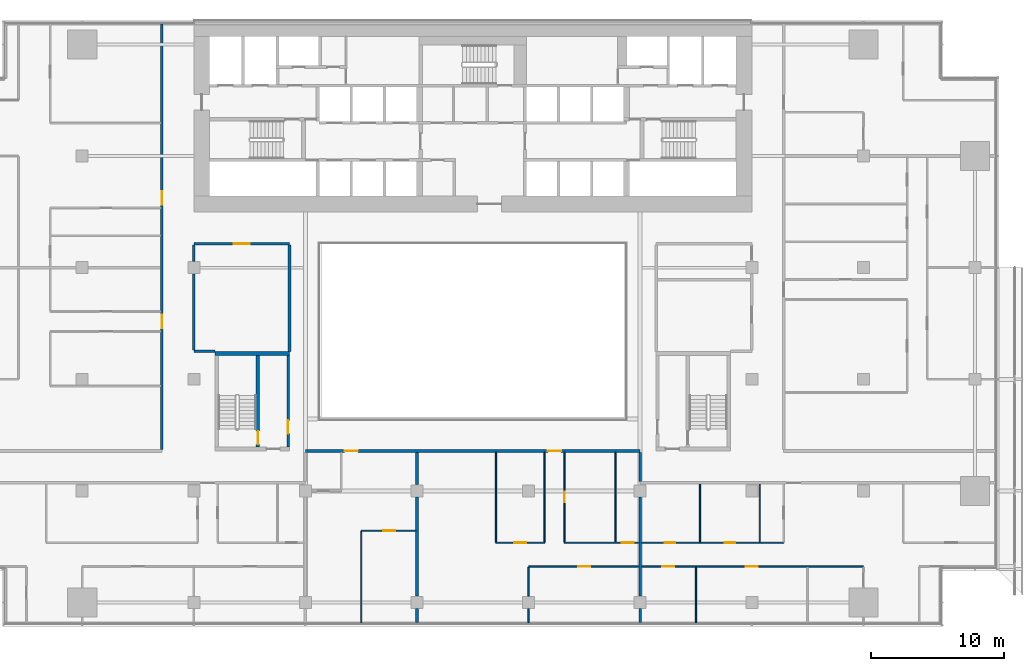
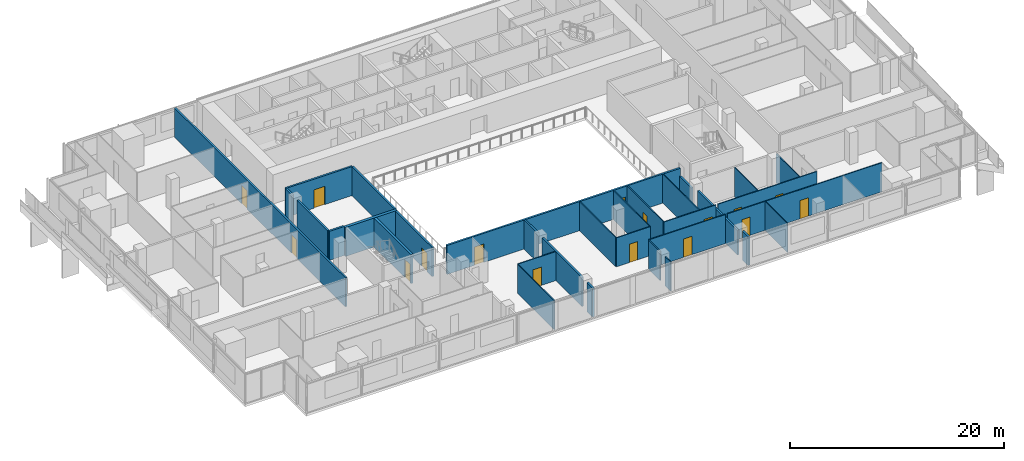
# One storey, part 17 of 25: 32 walls, 16 doors, 16 openings.
"""IFC4 building model written with IfcOpenShell, lengths in metres."""

from ifc_helpers import new_model, si_unit, direction, frame, frame_2d, origin, place, context, subcontext, project, spatial, rectangle, extrude, material, layer, layer_set, type_object, element, fill, save


model = new_model("IFC4")

# Units and contexts
model_context = context("Model", 3, precision=1e-05, world=origin(), true_north=direction((0.0, 1.0)))
body_context = subcontext(model_context, "Body", "Model", "MODEL_VIEW")
ifc_project = project(units=[si_unit("LENGTHUNIT", "METRE"), si_unit("AREAUNIT", "SQUARE_METRE"), si_unit("VOLUMEUNIT", "CUBIC_METRE"), si_unit("PLANEANGLEUNIT", "RADIAN"), si_unit("MASSUNIT", "GRAM", prefix="KILO")], contexts=[model_context])

# Site, building, storey
site_placement = place(None, origin())
site = spatial("IfcSite", under=ifc_project, at=site_placement, CompositionType="ELEMENT")
building_placement = place(site_placement, origin())
building = spatial("IfcBuilding", under=site, at=building_placement, Name="Saffron Gate Tower", CompositionType="ELEMENT")
storey_placement = place(building_placement, frame((0.0, 0.0, 73.199951171875)))
storey = spatial("IfcBuildingStorey", under=building, at=storey_placement, Name="L17", CompositionType="ELEMENT", Elevation=73.199951171875)

# Wall, opening, door
ifc_material_1 = material(Name="Gypsum board partition on steel studs", Category="steel")
ifc_layer_1 = layer(ifc_material_1, 0.199951171875)
ifc_layer_set_1 = layer_set([ifc_layer_1], Name="CW10 Core partition 200")
wall_type_1 = type_object("IfcWallType", Name="CW10 Core partition 200", PredefinedType="PARTITIONING", material=ifc_layer_set_1)
wall_1_placement = place(storey_placement, frame((73.699951171875, 43.5, 0.0), z_axis=(0.0, 0.0, 1.0), x_axis=(0.0, 1.0, 0.0)))
wall_1 = element("IfcWall", 1, at=wall_1_placement, inside=storey, type_object=wall_type_1, Name="Wall CW10-L17-D-4", PredefinedType="PARTITIONING", context=body_context, shape_type="SweptSolid", body=[
    extrude(rectangle(XDim=6.89990234375, YDim=0.199951171875, at=frame_2d((3.449951171875, 0.0))), origin(), (0.0, 0.0, 1.0), 3.320068359375),
])
opening_1_placement = place(wall_1_placement, frame((1.0, 0.0, 0.0)))
opening_1 = element("IfcOpeningElement", 2, at=opening_1_placement, cuts=wall_1, Name="Opening CR-19", PredefinedType="OPENING", context=body_context, shape_type="SweptSolid", body=[
    extrude(rectangle(XDim=1.0, YDim=2.10009765625, at=frame_2d((0.5, 1.050048828125))), frame((0.0, 0.10986328125, 0.0), z_axis=(0.0, -1.0, 0.0), x_axis=(1.0, 0.0, 0.0)), (0.0, 0.0, 1.0), 0.219970703125),
])
ifc_material_2 = material(Name="Steel fire door set", Category="steel")
door_type_1 = type_object("IfcDoorType", Name="CD4 Lobby door 1000x2100 EI 120", OperationType="NOTDEFINED", PredefinedType="DOOR", material=ifc_material_2)
door_1_placement = place(opening_1_placement, origin())
door_1 = element("IfcDoor", 3, at=door_1_placement, inside=storey, type_object=door_type_1, Name="DOOR CR-19", OperationType="SINGLE_SWING_RIGHT", OverallHeight=2.10009765625, OverallWidth=1.0, PredefinedType="DOOR", context=body_context, shape_type="SweptSolid", body=[
    extrude(rectangle(XDim=1.0, YDim=2.10009765625, at=frame_2d((0.5, 1.050048828125))), frame((0.0, 0.02490234375, 0.0), z_axis=(0.0, -1.0, 0.0), x_axis=(1.0, 0.0, 0.0)), (0.0, 0.0, 1.0), 0.050048828125),
])
fill(opening_1, door_1)

ifc_material_3 = material(Name="Concrete C70", Category="concrete")
ifc_layer_2 = layer(ifc_material_3, 0.25)
ifc_layer_set_2 = layer_set([ifc_layer_2], Name="CW2 RC core wall 250 C70")
wall_type_2 = type_object("IfcWallType", Name="CW2 RC core wall 250 C70", PredefinedType="SOLIDWALL", material=ifc_layer_set_2)
wall_2_placement = place(storey_placement, frame((71.425048828125, 43.5, 0.0), z_axis=(0.0, 0.0, 1.0), x_axis=(0.0, 1.0, 0.0)))
wall_2 = element("IfcWall", 4, at=wall_2_placement, inside=storey, type_object=wall_type_2, Name="Wall CW2-L17-D-3", PredefinedType="SOLIDWALL", context=body_context, shape_type="SweptSolid", body=[
    extrude(rectangle(XDim=6.89990234375, YDim=0.25, at=frame_2d((3.449951171875, 0.0))), origin(), (0.0, 0.0, 1.0), 3.320068359375),
])
opening_2_placement = place(wall_2_placement, frame((0.199951171875, 0.0, 0.0)))
opening_2 = element("IfcOpeningElement", 5, at=opening_2_placement, cuts=wall_2, Name="Opening CR-20", PredefinedType="OPENING", context=body_context, shape_type="SweptSolid", body=[
    extrude(rectangle(XDim=1.0, YDim=2.10009765625, at=frame_2d((0.5, 1.050048828125))), frame((0.0, 0.135009765625, 0.0), z_axis=(0.0, -1.0, 0.0), x_axis=(1.0, 0.0, 0.0)), (0.0, 0.0, 1.0), 0.27001953125),
])
door_type_2 = type_object("IfcDoorType", Name="CD5 Stair door 1000x2100 EI 120", OperationType="NOTDEFINED", PredefinedType="DOOR", material=ifc_material_2)
door_2_placement = place(opening_2_placement, origin())
door_2 = element("IfcDoor", 6, at=door_2_placement, inside=storey, type_object=door_type_2, Name="DOOR CR-20", OperationType="SINGLE_SWING_LEFT", OverallHeight=2.10009765625, OverallWidth=1.0, PredefinedType="DOOR", context=body_context, shape_type="SweptSolid", body=[
    extrude(rectangle(XDim=1.0, YDim=2.10009765625, at=frame_2d((0.5, 1.050048828125))), frame((0.0, 0.02490234375, 0.0), z_axis=(0.0, -1.0, 0.0), x_axis=(1.0, 0.0, 0.0)), (0.0, 0.0, 1.0), 0.050048828125),
])
fill(opening_2, door_2)

# Wall
ifc_layer_3 = layer(ifc_material_3, 0.300048828125)
ifc_layer_set_3 = layer_set([ifc_layer_3], Name="CW5 RC core wall 300 C70")
wall_type_3 = type_object("IfcWallType", Name="CW5 RC core wall 300 C70", PredefinedType="SOLIDWALL", material=ifc_layer_set_3)
wall_3_placement = place(storey_placement, frame((68.199951171875, 50.550048828125, 0.0), z_axis=(0.0, 0.0, 1.0), x_axis=(1.0, 0.0, 0.0)))
element("IfcWall", 7, at=wall_3_placement, inside=storey, type_object=wall_type_3, Name="Wall CW5-L17-D-5", PredefinedType="SOLIDWALL", context=body_context, shape_type="SweptSolid", body=[
    extrude(rectangle(XDim=5.60009765625, YDim=0.300048828125, at=frame_2d((2.800048828125, 0.0))), origin(), (0.0, 0.0, 1.0), 3.320068359375),
])

# Wall, opening, door
ifc_material_4 = material(Name="Plasterboard on steel studs", Category="steel")
ifc_layer_4 = layer(ifc_material_4, 0.10009765625)
ifc_layer_set_4 = layer_set([ifc_layer_4], Name="PW1 Partition 100")
wall_type_4 = type_object("IfcWallType", Name="PW1 Partition 100", PredefinedType="PARTITIONING", material=ifc_layer_set_4)
wall_4_placement = place(storey_placement, frame((89.342041015625, 36.300048828125, 0.0), z_axis=(0.0, 0.0, 1.0), x_axis=(1.0, 0.0, 0.0)))
wall_4 = element("IfcWall", 8, at=wall_4_placement, inside=storey, type_object=wall_type_4, Name="Partition A4-6", PredefinedType="PARTITIONING", context=body_context, shape_type="SweptSolid", body=[
    extrude(rectangle(XDim=3.657958984375, YDim=0.10009765625, at=frame_2d((1.8291015625, 0.0))), origin(), (0.0, 0.0, 1.0), 3.320068359375),
])
opening_3_placement = place(wall_4_placement, frame((1.37890625, 0.0, 0.0)))
opening_3 = element("IfcOpeningElement", 9, at=opening_3_placement, cuts=wall_4, Name="Opening A4-15", PredefinedType="OPENING", context=body_context, shape_type="SweptSolid", body=[
    extrude(rectangle(XDim=0.89990234375, YDim=2.10009765625, at=frame_2d((0.449951171875, 1.050048828125))), frame((0.0, 0.06005859375, 0.0), z_axis=(0.0, -1.0, 0.0), x_axis=(1.0, 0.0, 0.0)), (0.0, 0.0, 1.0), 0.1201171875),
])
ifc_material_5 = material(Name="Timber door set", Category="wood")
door_type_3 = type_object("IfcDoorType", Name="RD1 Room door 900x2100", OperationType="NOTDEFINED", PredefinedType="DOOR", material=ifc_material_5)
door_3_placement = place(opening_3_placement, origin())
door_3 = element("IfcDoor", 10, at=door_3_placement, inside=storey, type_object=door_type_3, Name="Door A4-15", OperationType="SINGLE_SWING_LEFT", OverallHeight=2.10009765625, OverallWidth=0.89990234375, PredefinedType="DOOR", context=body_context, shape_type="SweptSolid", body=[
    extrude(rectangle(XDim=0.89990234375, YDim=2.10009765625, at=frame_2d((0.449951171875, 1.050048828125))), frame((0.0, 0.02490234375, 0.0), z_axis=(0.0, -1.0, 0.0), x_axis=(1.0, 0.0, 0.0)), (0.0, 0.0, 1.0), 0.050048828125),
])
fill(opening_3, door_3)

wall_5_placement = place(storey_placement, frame((83.300048828125, 37.199951171875, 0.0), z_axis=(0.0, 0.0, 1.0), x_axis=(-1.0, 0.0, 0.0)))
wall_5 = element("IfcWall", 11, at=wall_5_placement, inside=storey, type_object=wall_type_4, Name="Partition A4-8", PredefinedType="PARTITIONING", context=body_context, shape_type="SweptSolid", body=[
    extrude(rectangle(XDim=4.10009765625, YDim=0.10009765625, at=frame_2d((2.050048828125, 0.0))), origin(), (0.0, 0.0, 1.0), 3.320068359375),
])
opening_4_placement = place(wall_5_placement, frame((1.550048828125, 0.0, 0.0)))
opening_4 = element("IfcOpeningElement", 12, at=opening_4_placement, cuts=wall_5, Name="Opening A4-13", PredefinedType="OPENING", context=body_context, shape_type="SweptSolid", body=[
    extrude(rectangle(XDim=0.89990234375, YDim=2.10009765625, at=frame_2d((0.449951171875, 1.050048828125))), frame((0.0, 0.06005859375, 0.0), z_axis=(0.0, -1.0, 0.0), x_axis=(1.0, 0.0, 0.0)), (0.0, 0.0, 1.0), 0.1201171875),
])
door_4_placement = place(opening_4_placement, origin())
door_4 = element("IfcDoor", 13, at=door_4_placement, inside=storey, type_object=door_type_3, Name="Door A4-13", OperationType="SINGLE_SWING_LEFT", OverallHeight=2.10009765625, OverallWidth=0.89990234375, PredefinedType="DOOR", context=body_context, shape_type="SweptSolid", body=[
    extrude(rectangle(XDim=0.89990234375, YDim=2.10009765625, at=frame_2d((0.449951171875, 1.050048828125))), frame((0.0, 0.02490234375, 0.0), z_axis=(0.0, -1.0, 0.0), x_axis=(1.0, 0.0, 0.0)), (0.0, 0.0, 1.0), 0.050048828125),
])
fill(opening_4, door_4)

# Walls
wall_6_placement = place(storey_placement, frame((79.199951171875, 37.14990234375, 0.0), z_axis=(0.0, 0.0, 1.0), x_axis=(0.0, -1.0, 0.0)))
element("IfcWall", 14, at=wall_6_placement, inside=storey, type_object=wall_type_4, Name="Partition A4-70", PredefinedType="PARTITIONING", context=body_context, shape_type="SweptSolid", body=[
    extrude(rectangle(XDim=6.869873046875, YDim=0.10009765625, at=frame_2d((3.43505859375, 0.0))), origin(), (0.0, 0.0, 1.0), 3.320068359375),
])
wall_7_placement = place(storey_placement, frame((89.342041015625, 43.10009765625, 0.0), z_axis=(0.0, 0.0, 1.0), x_axis=(0.0, -1.0, 0.0)))
element("IfcWall", 15, at=wall_7_placement, inside=storey, type_object=wall_type_4, Name="Partition A4-74", PredefinedType="PARTITIONING", context=body_context, shape_type="SweptSolid", body=[
    extrude(rectangle(XDim=6.75, YDim=0.10009765625, at=frame_2d((3.375, 0.0))), origin(), (0.0, 0.0, 1.0), 3.320068359375),
])
wall_8_placement = place(storey_placement, frame((91.800048828125, 31.330078125, 0.0), z_axis=(0.0, 0.0, 1.0), x_axis=(0.0, -1.0, 0.0)))
element("IfcWall", 16, at=wall_8_placement, inside=storey, type_object=wall_type_4, Name="Partition A4-75", PredefinedType="PARTITIONING", context=body_context, shape_type="SweptSolid", body=[
    extrude(rectangle(XDim=1.050048828125, YDim=0.10009765625, at=frame_2d((0.52490234375, 0.0))), origin(), (0.0, 0.0, 1.0), 3.320068359375),
])
wall_9_placement = place(storey_placement, frame((91.800048828125, 34.449951171875, 0.0), z_axis=(0.0, 0.0, 1.0), x_axis=(0.0, -1.0, 0.0)))
element("IfcWall", 17, at=wall_9_placement, inside=storey, type_object=wall_type_4, Name="Partition A4-76", PredefinedType="PARTITIONING", context=body_context, shape_type="SweptSolid", body=[
    extrude(rectangle(XDim=2.179931640625, YDim=0.10009765625, at=frame_2d((1.08984375, 0.0))), origin(), (0.0, 0.0, 1.0), 3.320068359375),
])
wall_10_placement = place(storey_placement, frame((93.0, 43.10009765625, 0.0), z_axis=(0.0, 0.0, 1.0), x_axis=(0.0, -1.0, 0.0)))
element("IfcWall", 18, at=wall_10_placement, inside=storey, type_object=wall_type_4, Name="Partition A4-77", PredefinedType="PARTITIONING", context=body_context, shape_type="SweptSolid", body=[
    extrude(rectangle(XDim=6.75, YDim=0.10009765625, at=frame_2d((3.375, 0.0))), origin(), (0.0, 0.0, 1.0), 3.320068359375),
])

# Wall, opening, door
wall_11_placement = place(storey_placement, frame((94.5, 43.10009765625, 0.0), z_axis=(0.0, 0.0, 1.0), x_axis=(0.0, -1.0, 0.0)))
wall_11 = element("IfcWall", 19, at=wall_11_placement, inside=storey, type_object=wall_type_4, Name="Partition A4-78", PredefinedType="PARTITIONING", context=body_context, shape_type="SweptSolid", body=[
    extrude(rectangle(XDim=6.75, YDim=0.10009765625, at=frame_2d((3.375, 0.0))), origin(), (0.0, 0.0, 1.0), 3.320068359375),
])
opening_5_placement = place(wall_11_placement, frame((2.949951171875, 0.0, 0.0)))
opening_5 = element("IfcOpeningElement", 20, at=opening_5_placement, cuts=wall_11, Name="Opening A4-37", PredefinedType="OPENING", context=body_context, shape_type="SweptSolid", body=[
    extrude(rectangle(XDim=0.800048828125, YDim=2.10009765625, at=frame_2d((0.39990234375, 1.050048828125))), frame((0.0, 0.06005859375, 0.0), z_axis=(0.0, -1.0, 0.0), x_axis=(1.0, 0.0, 0.0)), (0.0, 0.0, 1.0), 0.1201171875),
])
door_type_4 = type_object("IfcDoorType", Name="RD2 Bathroom door 800x2100", OperationType="NOTDEFINED", PredefinedType="DOOR", material=ifc_material_5)
door_5_placement = place(opening_5_placement, origin())
door_5 = element("IfcDoor", 21, at=door_5_placement, inside=storey, type_object=door_type_4, Name="Door A4-37", OperationType="SINGLE_SWING_LEFT", OverallHeight=2.10009765625, OverallWidth=0.800048828125, PredefinedType="DOOR", context=body_context, shape_type="SweptSolid", body=[
    extrude(rectangle(XDim=0.800048828125, YDim=2.10009765625, at=frame_2d((0.39990234375, 1.050048828125))), frame((0.0, 0.02490234375, 0.0), z_axis=(0.0, -1.0, 0.0), x_axis=(1.0, 0.0, 0.0)), (0.0, 0.0, 1.0), 0.050048828125),
])
fill(opening_5, door_5)

# Walls
wall_12_placement = place(storey_placement, frame((98.340576171875, 43.10009765625, 0.0), z_axis=(0.0, 0.0, 1.0), x_axis=(0.0, -1.0, 0.0)))
element("IfcWall", 22, at=wall_12_placement, inside=storey, type_object=wall_type_4, Name="Partition A4-79", PredefinedType="PARTITIONING", context=body_context, shape_type="SweptSolid", body=[
    extrude(rectangle(XDim=6.75, YDim=0.10009765625, at=frame_2d((3.375, 0.0))), origin(), (0.0, 0.0, 1.0), 3.320068359375),
])
wall_13_placement = place(storey_placement, frame((104.39990234375, 34.449951171875, 0.0), z_axis=(0.0, 0.0, 1.0), x_axis=(0.0, -1.0, 0.0)))
element("IfcWall", 23, at=wall_13_placement, inside=storey, type_object=wall_type_4, Name="Partition A4-84", PredefinedType="PARTITIONING", context=body_context, shape_type="SweptSolid", body=[
    extrude(rectangle(XDim=4.169921875, YDim=0.10009765625, at=frame_2d((2.0849609375, 0.0))), origin(), (0.0, 0.0, 1.0), 3.320068359375),
])
for number, where, z_axis, x_axis, name in (
    (24, (104.699951171875, 40.699951171875, 0.0), (0.0, 0.0, 1.0), (0.0, -1.0, 0.0), "Partition A4-85"),
    (25, (109.199951171875, 40.699951171875, 0.0), (0.0, 0.0, 1.0), (0.0, -1.0, 0.0), "Partition A4-88"),
):
    element("IfcWall", number, at=place(storey_placement, frame(where, z_axis=z_axis, x_axis=x_axis)), inside=storey, type_object=wall_type_4, Name=name, PredefinedType="PARTITIONING", context=body_context, shape_type="SweptSolid", body=[
        extrude(rectangle(XDim=4.349853515625, YDim=0.10009765625, at=frame_2d((2.1748046875, 0.0))), origin(), (0.0, 0.0, 1.0), 3.320068359375),
    ])

# Wall, opening, door
wall_14_placement = place(storey_placement, frame((100.10009765625, 34.5, 0.0), z_axis=(0.0, 0.0, 1.0), x_axis=(-1.0, 0.0, 0.0)))
wall_14 = element("IfcWall", 26, at=wall_14_placement, inside=storey, type_object=wall_type_4, Name="Partition A4-101", PredefinedType="PARTITIONING", context=body_context, shape_type="SweptSolid", body=[
    extrude(rectangle(XDim=8.300048828125, YDim=0.10009765625, at=frame_2d((4.14990234375, 0.0))), origin(), (0.0, 0.0, 1.0), 3.320068359375),
])
opening_6_placement = place(wall_14_placement, frame((3.64990234375, 0.0, 0.0)))
opening_6 = element("IfcOpeningElement", 27, at=opening_6_placement, cuts=wall_14, Name="Opening A4-14", PredefinedType="OPENING", context=body_context, shape_type="SweptSolid", body=[
    extrude(rectangle(XDim=0.89990234375, YDim=2.10009765625, at=frame_2d((0.449951171875, 1.050048828125))), frame((0.0, 0.06005859375, 0.0), z_axis=(0.0, -1.0, 0.0), x_axis=(1.0, 0.0, 0.0)), (0.0, 0.0, 1.0), 0.1201171875),
])
door_6_placement = place(opening_6_placement, origin())
door_6 = element("IfcDoor", 28, at=door_6_placement, inside=storey, type_object=door_type_3, Name="Door A4-14", OperationType="SINGLE_SWING_LEFT", OverallHeight=2.10009765625, OverallWidth=0.89990234375, PredefinedType="DOOR", context=body_context, shape_type="SweptSolid", body=[
    extrude(rectangle(XDim=0.89990234375, YDim=2.10009765625, at=frame_2d((0.449951171875, 1.050048828125))), frame((0.0, 0.02490234375, 0.0), z_axis=(0.0, -1.0, 0.0), x_axis=(1.0, 0.0, 0.0)), (0.0, 0.0, 1.0), 0.050048828125),
])
fill(opening_6, door_6)

# Wall, openings, doors
wall_15_placement = place(storey_placement, frame((117.0, 34.5, 0.0), z_axis=(0.0, 0.0, 1.0), x_axis=(-1.0, 0.0, 0.0)))
wall_15 = element("IfcWall", 29, at=wall_15_placement, inside=storey, type_object=wall_type_4, Name="Partition A4-102", PredefinedType="PARTITIONING", context=body_context, shape_type="SweptSolid", body=[
    extrude(rectangle(XDim=16.699951171875, YDim=0.10009765625, at=frame_2d((8.35009765625, 0.0))), origin(), (0.0, 0.0, 1.0), 3.320068359375),
])
opening_7_placement = place(wall_15_placement, frame((7.949951171875, 0.0, 0.0)))
opening_7 = element("IfcOpeningElement", 30, at=opening_7_placement, cuts=wall_15, Name="Opening A4-18", PredefinedType="OPENING", context=body_context, shape_type="SweptSolid", body=[
    extrude(rectangle(XDim=0.89990234375, YDim=2.10009765625, at=frame_2d((0.449951171875, 1.050048828125))), frame((0.0, 0.06005859375, 0.0), z_axis=(0.0, -1.0, 0.0), x_axis=(1.0, 0.0, 0.0)), (0.0, 0.0, 1.0), 0.1201171875),
])
opening_8_placement = place(wall_15_placement, frame((14.25, 0.0, 0.0)))
opening_8 = element("IfcOpeningElement", 31, at=opening_8_placement, cuts=wall_15, Name="Opening A4-17", PredefinedType="OPENING", context=body_context, shape_type="SweptSolid", body=[
    extrude(rectangle(XDim=0.89990234375, YDim=2.10009765625, at=frame_2d((0.449951171875, 1.050048828125))), frame((0.0, 0.06005859375, 0.0), z_axis=(0.0, -1.0, 0.0), x_axis=(1.0, 0.0, 0.0)), (0.0, 0.0, 1.0), 0.1201171875),
])
door_7_placement = place(opening_7_placement, origin())
door_7 = element("IfcDoor", 32, at=door_7_placement, inside=storey, type_object=door_type_3, Name="Door A4-18", OperationType="SINGLE_SWING_LEFT", OverallHeight=2.10009765625, OverallWidth=0.89990234375, PredefinedType="DOOR", context=body_context, shape_type="SweptSolid", body=[
    extrude(rectangle(XDim=0.89990234375, YDim=2.10009765625, at=frame_2d((0.449951171875, 1.050048828125))), frame((0.0, 0.02490234375, 0.0), z_axis=(0.0, -1.0, 0.0), x_axis=(1.0, 0.0, 0.0)), (0.0, 0.0, 1.0), 0.050048828125),
])
fill(opening_7, door_7)
door_8_placement = place(opening_8_placement, origin())
door_8 = element("IfcDoor", 33, at=door_8_placement, inside=storey, type_object=door_type_3, Name="Door A4-17", OperationType="SINGLE_SWING_RIGHT", OverallHeight=2.10009765625, OverallWidth=0.89990234375, PredefinedType="DOOR", context=body_context, shape_type="SweptSolid", body=[
    extrude(rectangle(XDim=0.89990234375, YDim=2.10009765625, at=frame_2d((0.449951171875, 1.050048828125))), frame((0.0, 0.02490234375, 0.0), z_axis=(0.0, -1.0, 0.0), x_axis=(1.0, 0.0, 0.0)), (0.0, 0.0, 1.0), 0.050048828125),
])
fill(opening_8, door_8)

# Wall, opening, door
wall_16_placement = place(storey_placement, frame((94.5, 36.300048828125, 0.0), z_axis=(0.0, 0.0, 1.0), x_axis=(1.0, 0.0, 0.0)))
wall_16 = element("IfcWall", 34, at=wall_16_placement, inside=storey, type_object=wall_type_4, Name="Partition A4-103", PredefinedType="PARTITIONING", context=body_context, shape_type="SweptSolid", body=[
    extrude(rectangle(XDim=5.60009765625, YDim=0.10009765625, at=frame_2d((2.800048828125, 0.0))), origin(), (0.0, 0.0, 1.0), 3.320068359375),
])
opening_9_placement = place(wall_16_placement, frame((4.3203125, 0.0, 0.0)))
opening_9 = element("IfcOpeningElement", 35, at=opening_9_placement, cuts=wall_16, Name="Opening A4-16", PredefinedType="OPENING", context=body_context, shape_type="SweptSolid", body=[
    extrude(rectangle(XDim=0.89990234375, YDim=2.10009765625, at=frame_2d((0.449951171875, 1.050048828125))), frame((0.0, 0.06005859375, 0.0), z_axis=(0.0, -1.0, 0.0), x_axis=(1.0, 0.0, 0.0)), (0.0, 0.0, 1.0), 0.1201171875),
])
door_9_placement = place(opening_9_placement, origin())
door_9 = element("IfcDoor", 36, at=door_9_placement, inside=storey, type_object=door_type_3, Name="Door A4-16", OperationType="SINGLE_SWING_RIGHT", OverallHeight=2.10009765625, OverallWidth=0.89990234375, PredefinedType="DOOR", context=body_context, shape_type="SweptSolid", body=[
    extrude(rectangle(XDim=0.89990234375, YDim=2.10009765625, at=frame_2d((0.449951171875, 1.050048828125))), frame((0.0, 0.02490234375, 0.0), z_axis=(0.0, -1.0, 0.0), x_axis=(1.0, 0.0, 0.0)), (0.0, 0.0, 1.0), 0.050048828125),
])
fill(opening_9, door_9)

# Wall, openings, doors
wall_17_placement = place(storey_placement, frame((100.300048828125, 36.300048828125, 0.0), z_axis=(0.0, 0.0, 1.0), x_axis=(1.0, 0.0, 0.0)))
wall_17 = element("IfcWall", 37, at=wall_17_placement, inside=storey, type_object=wall_type_4, Name="Partition A4-104", PredefinedType="PARTITIONING", context=body_context, shape_type="SweptSolid", body=[
    extrude(rectangle(XDim=10.699951171875, YDim=0.10009765625, at=frame_2d((5.35009765625, 0.0))), origin(), (0.0, 0.0, 1.0), 3.320068359375),
])
opening_10_placement = place(wall_17_placement, frame((1.75, 0.0, 0.0)))
opening_10 = element("IfcOpeningElement", 38, at=opening_10_placement, cuts=wall_17, Name="Opening A4-38", PredefinedType="OPENING", context=body_context, shape_type="SweptSolid", body=[
    extrude(rectangle(XDim=0.800048828125, YDim=2.10009765625, at=frame_2d((0.39990234375, 1.050048828125))), frame((0.0, 0.06005859375, 0.0), z_axis=(0.0, -1.0, 0.0), x_axis=(1.0, 0.0, 0.0)), (0.0, 0.0, 1.0), 0.1201171875),
])
opening_11_placement = place(wall_17_placement, frame((6.25, 0.0, 0.0)))
opening_11 = element("IfcOpeningElement", 39, at=opening_11_placement, cuts=wall_17, Name="Opening A4-39", PredefinedType="OPENING", context=body_context, shape_type="SweptSolid", body=[
    extrude(rectangle(XDim=0.800048828125, YDim=2.10009765625, at=frame_2d((0.39990234375, 1.050048828125))), frame((0.0, 0.06005859375, 0.0), z_axis=(0.0, -1.0, 0.0), x_axis=(1.0, 0.0, 0.0)), (0.0, 0.0, 1.0), 0.1201171875),
])
door_10_placement = place(opening_10_placement, origin())
door_10 = element("IfcDoor", 40, at=door_10_placement, inside=storey, type_object=door_type_4, Name="Door A4-38", OperationType="SINGLE_SWING_LEFT", OverallHeight=2.10009765625, OverallWidth=0.800048828125, PredefinedType="DOOR", context=body_context, shape_type="SweptSolid", body=[
    extrude(rectangle(XDim=0.800048828125, YDim=2.10009765625, at=frame_2d((0.39990234375, 1.050048828125))), frame((0.0, 0.02490234375, 0.0), z_axis=(0.0, -1.0, 0.0), x_axis=(1.0, 0.0, 0.0)), (0.0, 0.0, 1.0), 0.050048828125),
])
fill(opening_10, door_10)
door_11_placement = place(opening_11_placement, origin())
door_11 = element("IfcDoor", 41, at=door_11_placement, inside=storey, type_object=door_type_4, Name="Door A4-39", OperationType="SINGLE_SWING_RIGHT", OverallHeight=2.10009765625, OverallWidth=0.800048828125, PredefinedType="DOOR", context=body_context, shape_type="SweptSolid", body=[
    extrude(rectangle(XDim=0.800048828125, YDim=2.10009765625, at=frame_2d((0.39990234375, 1.050048828125))), frame((0.0, 0.02490234375, 0.0), z_axis=(0.0, -1.0, 0.0), x_axis=(1.0, 0.0, 0.0)), (0.0, 0.0, 1.0), 0.050048828125),
])
fill(opening_11, door_11)

# Walls
ifc_material_6 = material(Name="Clay brick masonry, rendered", Category="masonry")
ifc_layer_5 = layer(ifc_material_6, 0.199951171875)
ifc_layer_set_5 = layer_set([ifc_layer_5], Name="PW2 Demising wall 200")
wall_type_5 = type_object("IfcWallType", Name="PW2 Demising wall 200", PredefinedType="PARTITIONING", material=ifc_layer_set_5)
wall_18_placement = place(storey_placement, frame((83.39990234375, 31.330078125, 0.0), z_axis=(0.0, 0.0, 1.0), x_axis=(0.0, -1.0, 0.0)))
element("IfcWall", 42, at=wall_18_placement, inside=storey, type_object=wall_type_5, Name="Wall A4-71", PredefinedType="PARTITIONING", context=body_context, shape_type="SweptSolid", body=[
    extrude(rectangle(XDim=1.050048828125, YDim=0.199951171875, at=frame_2d((0.52490234375, 0.0))), origin(), (0.0, 0.0, 1.0), 3.320068359375),
])
wall_19_placement = place(storey_placement, frame((83.39990234375, 39.72998046875, 0.0), z_axis=(0.0, 0.0, 1.0), x_axis=(0.0, -1.0, 0.0)))
element("IfcWall", 43, at=wall_19_placement, inside=storey, type_object=wall_type_5, Name="Wall A4-72", PredefinedType="PARTITIONING", context=body_context, shape_type="SweptSolid", body=[
    extrude(rectangle(XDim=7.4599609375, YDim=0.199951171875, at=frame_2d((3.72998046875, 0.0))), origin(), (0.0, 0.0, 1.0), 3.320068359375),
])
wall_20_placement = place(storey_placement, frame((83.39990234375, 43.10009765625, 0.0), z_axis=(0.0, 0.0, 1.0), x_axis=(0.0, -1.0, 0.0)))
element("IfcWall", 44, at=wall_20_placement, inside=storey, type_object=wall_type_5, Name="Wall A4-73", PredefinedType="PARTITIONING", context=body_context, shape_type="SweptSolid", body=[
    extrude(rectangle(XDim=2.43017578125, YDim=0.199951171875, at=frame_2d((1.215087890625, 0.0))), origin(), (0.0, 0.0, 1.0), 3.320068359375),
])
wall_21_placement = place(storey_placement, frame((100.199951171875, 31.330078125, 0.0), z_axis=(0.0, 0.0, 1.0), x_axis=(0.0, -1.0, 0.0)))
element("IfcWall", 45, at=wall_21_placement, inside=storey, type_object=wall_type_5, Name="Wall A4-81", PredefinedType="PARTITIONING", context=body_context, shape_type="SweptSolid", body=[
    extrude(rectangle(XDim=1.050048828125, YDim=0.199951171875, at=frame_2d((0.52490234375, 0.0))), origin(), (0.0, 0.0, 1.0), 3.320068359375),
])
wall_22_placement = place(storey_placement, frame((100.199951171875, 39.72998046875, 0.0), z_axis=(0.0, 0.0, 1.0), x_axis=(0.0, -1.0, 0.0)))
element("IfcWall", 46, at=wall_22_placement, inside=storey, type_object=wall_type_5, Name="Wall A4-82", PredefinedType="PARTITIONING", context=body_context, shape_type="SweptSolid", body=[
    extrude(rectangle(XDim=7.4599609375, YDim=0.199951171875, at=frame_2d((3.72998046875, 0.0))), origin(), (0.0, 0.0, 1.0), 2.830078125),
])

# Wall, openings, doors
ifc_layer_6 = layer(ifc_material_6, 0.199951171875)
ifc_layer_set_6 = layer_set([ifc_layer_6], Name="PW3 Corridor wall 200")
wall_type_6 = type_object("IfcWallType", Name="PW3 Corridor wall 200", PredefinedType="PARTITIONING", material=ifc_layer_set_6)
wall_23_placement = place(storey_placement, frame((100.199951171875, 43.199951171875, 0.0), z_axis=(0.0, 0.0, 1.0), x_axis=(-1.0, 0.0, 0.0)))
wall_23 = element("IfcWall", 47, at=wall_23_placement, inside=storey, type_object=wall_type_6, Name="Wall A4-15", PredefinedType="PARTITIONING", context=body_context, shape_type="SweptSolid", body=[
    extrude(rectangle(XDim=25.199951171875, YDim=0.199951171875, at=frame_2d((12.60009765625, 0.0))), origin(), (0.0, 0.0, 1.0), 3.320068359375),
])
opening_12_placement = place(wall_23_placement, frame((5.949951171875, 0.0, 0.0)))
opening_12 = element("IfcOpeningElement", 48, at=opening_12_placement, cuts=wall_23, Name="Opening A4-3", PredefinedType="OPENING", context=body_context, shape_type="SweptSolid", body=[
    extrude(rectangle(XDim=1.0, YDim=2.10009765625, at=frame_2d((0.5, 1.050048828125))), frame((0.0, 0.10986328125, 0.0), z_axis=(0.0, -1.0, 0.0), x_axis=(1.0, 0.0, 0.0)), (0.0, 0.0, 1.0), 0.219970703125),
])
opening_13_placement = place(wall_23_placement, frame((21.25, 0.0, 0.0)))
opening_13 = element("IfcOpeningElement", 49, at=opening_13_placement, cuts=wall_23, Name="Opening A4-2", PredefinedType="OPENING", context=body_context, shape_type="SweptSolid", body=[
    extrude(rectangle(XDim=1.0, YDim=2.10009765625, at=frame_2d((0.5, 1.050048828125))), frame((0.0, 0.10986328125, 0.0), z_axis=(0.0, -1.0, 0.0), x_axis=(1.0, 0.0, 0.0)), (0.0, 0.0, 1.0), 0.219970703125),
])
ifc_material_7 = material(Name="Timber fire door set", Category="wood")
door_type_5 = type_object("IfcDoorType", Name="FD1 Flat entry door 1000x2100", OperationType="NOTDEFINED", PredefinedType="DOOR", material=ifc_material_7)
door_12_placement = place(opening_12_placement, origin())
door_12 = element("IfcDoor", 50, at=door_12_placement, inside=storey, type_object=door_type_5, Name="Door A4-3", OperationType="SINGLE_SWING_RIGHT", OverallHeight=2.10009765625, OverallWidth=1.0, PredefinedType="DOOR", context=body_context, shape_type="SweptSolid", body=[
    extrude(rectangle(XDim=1.0, YDim=2.10009765625, at=frame_2d((0.5, 1.050048828125))), frame((0.0, 0.02490234375, 0.0), z_axis=(0.0, -1.0, 0.0), x_axis=(1.0, 0.0, 0.0)), (0.0, 0.0, 1.0), 0.050048828125),
])
fill(opening_12, door_12)
door_13_placement = place(opening_13_placement, origin())
door_13 = element("IfcDoor", 51, at=door_13_placement, inside=storey, type_object=door_type_5, Name="Door A4-2", OperationType="SINGLE_SWING_LEFT", OverallHeight=2.10009765625, OverallWidth=1.0, PredefinedType="DOOR", context=body_context, shape_type="SweptSolid", body=[
    extrude(rectangle(XDim=1.0, YDim=2.10009765625, at=frame_2d((0.5, 1.050048828125))), frame((0.0, 0.02490234375, 0.0), z_axis=(0.0, -1.0, 0.0), x_axis=(1.0, 0.0, 0.0)), (0.0, 0.0, 1.0), 0.050048828125),
])
fill(opening_13, door_13)

# Wall
wall_24_placement = place(storey_placement, frame((66.60009765625, 50.699951171875, 0.0), z_axis=(0.0, 0.0, 1.0), x_axis=(1.0, 0.0, 0.0)))
element("IfcWall", 52, at=wall_24_placement, inside=storey, type_object=wall_type_6, Name="Wall A4-23", PredefinedType="PARTITIONING", context=body_context, shape_type="SweptSolid", body=[
    extrude(rectangle(XDim=1.599853515625, YDim=0.199951171875, at=frame_2d((0.7998046875, 0.0))), origin(), (0.0, 0.0, 1.0), 3.320068359375),
])

# Wall, opening, door
wall_25_placement = place(storey_placement, frame((73.800048828125, 58.800048828125, 0.0), z_axis=(0.0, 0.0, 1.0), x_axis=(-1.0, 0.0, 0.0)))
wall_25 = element("IfcWall", 53, at=wall_25_placement, inside=storey, type_object=wall_type_6, Name="Wall A4-35", PredefinedType="PARTITIONING", context=body_context, shape_type="SweptSolid", body=[
    extrude(rectangle(XDim=7.199951171875, YDim=0.199951171875, at=frame_2d((3.60009765625, 0.0))), origin(), (0.0, 0.0, 1.0), 3.320068359375),
])
opening_14_placement = place(wall_25_placement, frame((3.0, 0.0, 0.0)))
opening_14 = element("IfcOpeningElement", 54, at=opening_14_placement, cuts=wall_25, Name="Opening A4-47", PredefinedType="OPENING", context=body_context, shape_type="SweptSolid", body=[
    extrude(rectangle(XDim=1.199951171875, YDim=2.10009765625, at=frame_2d((0.60009765625, 1.050048828125))), frame((0.0, 0.10986328125, 0.0), z_axis=(0.0, -1.0, 0.0), x_axis=(1.0, 0.0, 0.0)), (0.0, 0.0, 1.0), 0.219970703125),
])
door_type_6 = type_object("IfcDoorType", Name="HD1 Hall door 1200x2100", OperationType="NOTDEFINED", PredefinedType="DOOR", material=ifc_material_5)
door_14_placement = place(opening_14_placement, origin())
door_14 = element("IfcDoor", 55, at=door_14_placement, inside=storey, type_object=door_type_6, Name="Door A4-47", OperationType="SINGLE_SWING_LEFT", OverallHeight=2.10009765625, OverallWidth=1.199951171875, PredefinedType="DOOR", context=body_context, shape_type="SweptSolid", body=[
    extrude(rectangle(XDim=1.199951171875, YDim=2.10009765625, at=frame_2d((0.60009765625, 1.050048828125))), frame((0.0, 0.02490234375, 0.0), z_axis=(0.0, -1.0, 0.0), x_axis=(1.0, 0.0, 0.0)), (0.0, 0.0, 1.0), 0.050048828125),
])
fill(opening_14, door_14)

# Wall, openings, doors
wall_26_placement = place(storey_placement, frame((64.199951171875, 43.300048828125, 0.0), z_axis=(0.0, 0.0, 1.0), x_axis=(0.0, 1.0, 0.0)))
wall_26 = element("IfcWall", 56, at=wall_26_placement, inside=storey, type_object=wall_type_6, Name="Wall A4-57", PredefinedType="PARTITIONING", context=body_context, shape_type="SweptSolid", body=[
    extrude(rectangle(XDim=32.02001953125, YDim=0.199951171875, at=frame_2d((16.010009765625, 0.0))), origin(), (0.0, 0.0, 1.0), 3.320068359375),
])
opening_15_placement = place(wall_26_placement, frame((9.14990234375, 0.0, 0.0)))
opening_15 = element("IfcOpeningElement", 57, at=opening_15_placement, cuts=wall_26, Name="Opening A4-5", PredefinedType="OPENING", context=body_context, shape_type="SweptSolid", body=[
    extrude(rectangle(XDim=1.0, YDim=2.10009765625, at=frame_2d((0.5, 1.050048828125))), frame((0.0, 0.10986328125, 0.0), z_axis=(0.0, -1.0, 0.0), x_axis=(1.0, 0.0, 0.0)), (0.0, 0.0, 1.0), 0.219970703125),
])
opening_16_placement = place(wall_26_placement, frame((18.449951171875, 0.0, 0.0)))
opening_16 = element("IfcOpeningElement", 58, at=opening_16_placement, cuts=wall_26, Name="Opening A4-6", PredefinedType="OPENING", context=body_context, shape_type="SweptSolid", body=[
    extrude(rectangle(XDim=1.0, YDim=2.10009765625, at=frame_2d((0.5, 1.050048828125))), frame((0.0, 0.10986328125, 0.0), z_axis=(0.0, -1.0, 0.0), x_axis=(1.0, 0.0, 0.0)), (0.0, 0.0, 1.0), 0.219970703125),
])
door_15_placement = place(opening_15_placement, origin())
door_15 = element("IfcDoor", 59, at=door_15_placement, inside=storey, type_object=door_type_5, Name="Door A4-5", OperationType="SINGLE_SWING_RIGHT", OverallHeight=2.10009765625, OverallWidth=1.0, PredefinedType="DOOR", context=body_context, shape_type="SweptSolid", body=[
    extrude(rectangle(XDim=1.0, YDim=2.10009765625, at=frame_2d((0.5, 1.050048828125))), frame((0.0, 0.02490234375, 0.0), z_axis=(0.0, -1.0, 0.0), x_axis=(1.0, 0.0, 0.0)), (0.0, 0.0, 1.0), 0.050048828125),
])
fill(opening_15, door_15)
door_16_placement = place(opening_16_placement, origin())
door_16 = element("IfcDoor", 60, at=door_16_placement, inside=storey, type_object=door_type_5, Name="Door A4-6", OperationType="SINGLE_SWING_RIGHT", OverallHeight=2.10009765625, OverallWidth=1.0, PredefinedType="DOOR", context=body_context, shape_type="SweptSolid", body=[
    extrude(rectangle(XDim=1.0, YDim=2.10009765625, at=frame_2d((0.5, 1.050048828125))), frame((0.0, 0.02490234375, 0.0), z_axis=(0.0, -1.0, 0.0), x_axis=(1.0, 0.0, 0.0)), (0.0, 0.0, 1.0), 0.050048828125),
])
fill(opening_16, door_16)

# Walls
wall_27_placement = place(storey_placement, frame((66.60009765625, 56.530029296875, 0.0), z_axis=(0.0, 0.0, 1.0), x_axis=(0.0, -1.0, 0.0)))
element("IfcWall", 61, at=wall_27_placement, inside=storey, type_object=wall_type_6, Name="Wall A4-58", PredefinedType="PARTITIONING", context=body_context, shape_type="SweptSolid", body=[
    extrude(rectangle(XDim=5.72998046875, YDim=0.199951171875, at=frame_2d((2.864990234375, 0.0))), origin(), (0.0, 0.0, 1.0), 3.320068359375),
])
wall_28_placement = place(storey_placement, frame((66.60009765625, 58.699951171875, 0.0), z_axis=(0.0, 0.0, 1.0), x_axis=(0.0, -1.0, 0.0)))
element("IfcWall", 62, at=wall_28_placement, inside=storey, type_object=wall_type_6, Name="Wall A4-59", PredefinedType="PARTITIONING", context=body_context, shape_type="SweptSolid", body=[
    extrude(rectangle(XDim=1.22998046875, YDim=0.199951171875, at=frame_2d((0.614990234375, 0.0))), origin(), (0.0, 0.0, 1.0), 3.320068359375),
])
wall_29_placement = place(storey_placement, frame((73.800048828125, 58.699951171875, 0.0), z_axis=(0.0, 0.0, 1.0), x_axis=(0.0, -1.0, 0.0)))
element("IfcWall", 63, at=wall_29_placement, inside=storey, type_object=wall_type_6, Name="Wall A4-65", PredefinedType="PARTITIONING", context=body_context, shape_type="SweptSolid", body=[
    extrude(rectangle(XDim=8.0, YDim=0.199951171875, at=frame_2d((4.0, 0.0))), origin(), (0.0, 0.0, 1.0), 3.320068359375),
])
wall_30_placement = place(storey_placement, frame((100.199951171875, 43.10009765625, 0.0), z_axis=(0.0, 0.0, 1.0), x_axis=(0.0, -1.0, 0.0)))
element("IfcWall", 64, at=wall_30_placement, inside=storey, type_object=wall_type_6, Name="Wall A4-80", PredefinedType="PARTITIONING", context=body_context, shape_type="SweptSolid", body=[
    extrude(rectangle(XDim=2.2001953125, YDim=0.199951171875, at=frame_2d((1.10009765625, 0.0))), origin(), (0.0, 0.0, 1.0), 2.429931640625),
])

save(model, "model.ifc")
